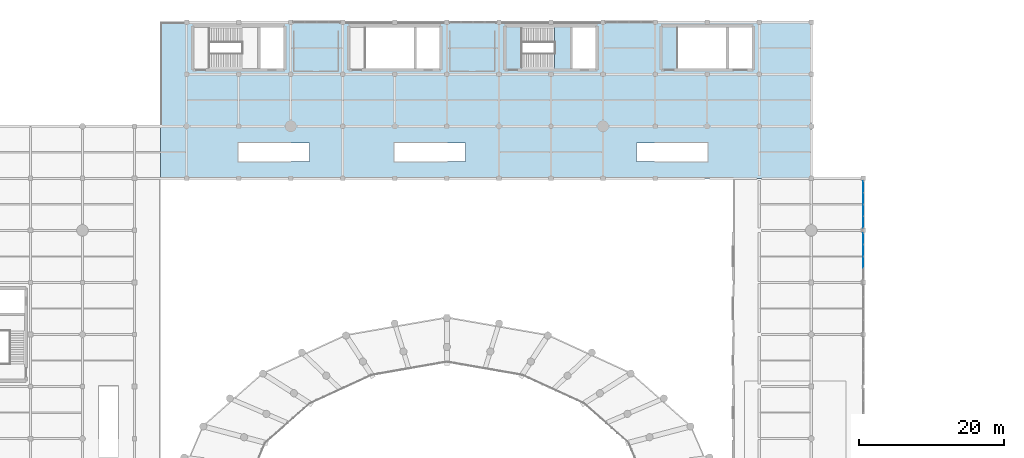
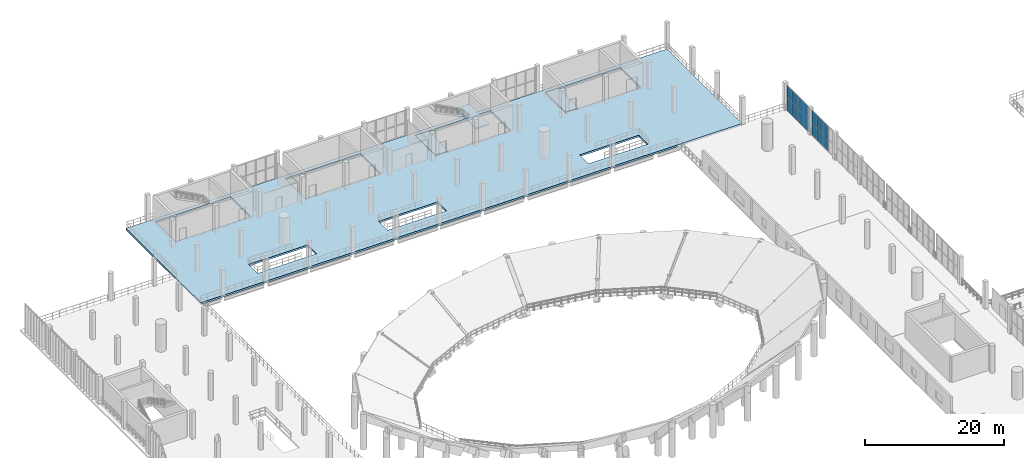
# One storey, part 79 of 105: 14 plates, 4 slabs, 3 elements without a shape of their own.
"""IFC4 building model written with IfcOpenShell, lengths in metres."""

from ifc_helpers import new_model, si_unit, direction, frame, origin, origin_2d, place, context, subcontext, project, spatial, polyline, rectangle, outline, extrude, material, layer, layer_set, type_object, element, aggregate, save


model = new_model("IFC4")

# Units and contexts
model_context = context("Model", 3, precision=1e-05, world=origin(), true_north=direction((0.0, 1.0)))
body_context = subcontext(model_context, "Body", "Model", "MODEL_VIEW")
ifc_project = project(units=[si_unit("LENGTHUNIT", "METRE"), si_unit("AREAUNIT", "SQUARE_METRE"), si_unit("VOLUMEUNIT", "CUBIC_METRE"), si_unit("PLANEANGLEUNIT", "RADIAN"), si_unit("MASSUNIT", "GRAM", prefix="KILO")], contexts=[model_context])

# Site, building, storey
site_placement = place(None, origin())
site = spatial("IfcSite", under=ifc_project, at=site_placement, CompositionType="ELEMENT")
building_placement = place(site_placement, origin())
building = spatial("IfcBuilding", under=site, at=building_placement, Name="Qandorah Velis Arena", CompositionType="ELEMENT")
storey_placement = place(building_placement, frame((0.0, 0.0, 13.800048828125)))
storey = spatial("IfcBuildingStorey", under=building, at=storey_placement, Name="L03", CompositionType="ELEMENT", Elevation=13.800048828125)

# Curtain wall, plates
ifc_material_1 = material(Name="Solar-control low-E double glazing", Category="glass")
curtain_wall_type_1 = type_object("IfcCurtainWallType", Name="ARC-CW-SYS10", PredefinedType="USERDEFINED", material=ifc_material_1)
curtain_wall_1_placement = place(storey_placement, origin())
curtain_wall_1 = element("IfcCurtainWall", 1, at=curtain_wall_1_placement, inside=storey, type_object=curtain_wall_type_1, Name="Unitised curtain wall L03-178", ObjectType="UNITISED CURTAIN WALL", PredefinedType="USERDEFINED")
ifc_layer_1 = layer(ifc_material_1, 0.028076171875)
ifc_layer_set_1 = layer_set([ifc_layer_1], Name="Solar-control low-E double glazing")
plate_type_1 = type_object("IfcPlateType", Name="ARC-CWP-GLZ28", PredefinedType="CURTAIN_PANEL", material=ifc_layer_set_1)
plate_1_placement = place(storey_placement, frame((122.39990234375, 101.956787109375, 0.054931640625), z_axis=(0.0, 0.0, 1.0), x_axis=(0.0, 1.0, 0.0)))
plate_1 = element("IfcPlate", 2, at=plate_1_placement, type_object=plate_type_1, Name="CW10 panel 1.1", PredefinedType="CURTAIN_PANEL", context=body_context, shape_type="SweptSolid", body=[
    extrude(rectangle(XDim=1.5537109375, YDim=0.028076171875, at=origin_2d()), origin(), (0.0, 0.0, 1.0), 2.1875),
])
plate_2_placement = place(storey_placement, frame((122.39990234375, 101.956787109375, 2.287353515625), z_axis=(0.0, 0.0, 1.0), x_axis=(0.0, 1.0, 0.0)))
plate_2 = element("IfcPlate", 3, at=plate_2_placement, type_object=plate_type_1, Name="CW10 panel 1.2", PredefinedType="CURTAIN_PANEL", context=body_context, shape_type="SweptSolid", body=[
    extrude(rectangle(XDim=1.5537109375, YDim=0.028076171875, at=origin_2d()), origin(), (0.0, 0.0, 1.0), 2.1875),
])
plate_3_placement = place(storey_placement, frame((122.39990234375, 103.57177734375, 0.054931640625), z_axis=(0.0, 0.0, 1.0), x_axis=(0.0, 1.0, 0.0)))
plate_3 = element("IfcPlate", 4, at=plate_3_placement, type_object=plate_type_1, Name="CW10 panel 2.1", PredefinedType="CURTAIN_PANEL", context=body_context, shape_type="SweptSolid", body=[
    extrude(rectangle(XDim=1.586181640625, YDim=0.028076171875, at=origin_2d()), origin(), (0.0, 0.0, 1.0), 2.1875),
])
plate_4_placement = place(storey_placement, frame((122.39990234375, 103.57177734375, 2.287353515625), z_axis=(0.0, 0.0, 1.0), x_axis=(0.0, 1.0, 0.0)))
plate_4 = element("IfcPlate", 5, at=plate_4_placement, type_object=plate_type_1, Name="CW10 panel 2.2", PredefinedType="CURTAIN_PANEL", context=body_context, shape_type="SweptSolid", body=[
    extrude(rectangle(XDim=1.586181640625, YDim=0.028076171875, at=origin_2d()), origin(), (0.0, 0.0, 1.0), 2.1875),
])
plate_5_placement = place(storey_placement, frame((122.39990234375, 105.203125, 0.054931640625), z_axis=(0.0, 0.0, 1.0), x_axis=(0.0, 1.0, 0.0)))
plate_5 = element("IfcPlate", 6, at=plate_5_placement, type_object=plate_type_1, Name="CW10 panel 3.1", PredefinedType="CURTAIN_PANEL", context=body_context, shape_type="SweptSolid", body=[
    extrude(rectangle(XDim=1.586181640625, YDim=0.028076171875, at=origin_2d()), origin(), (0.0, 0.0, 1.0), 2.1875),
])
plate_6_placement = place(storey_placement, frame((122.39990234375, 105.203125, 2.287353515625), z_axis=(0.0, 0.0, 1.0), x_axis=(0.0, 1.0, 0.0)))
plate_6 = element("IfcPlate", 7, at=plate_6_placement, type_object=plate_type_1, Name="CW10 panel 3.2", PredefinedType="CURTAIN_PANEL", context=body_context, shape_type="SweptSolid", body=[
    extrude(rectangle(XDim=1.586181640625, YDim=0.028076171875, at=origin_2d()), origin(), (0.0, 0.0, 1.0), 2.1875),
])
plate_7_placement = place(storey_placement, frame((122.39990234375, 106.818115234375, 0.054931640625), z_axis=(0.0, 0.0, 1.0), x_axis=(0.0, 1.0, 0.0)))
plate_7 = element("IfcPlate", 8, at=plate_7_placement, type_object=plate_type_1, Name="CW10 panel 4.1", PredefinedType="CURTAIN_PANEL", context=body_context, shape_type="SweptSolid", body=[
    extrude(rectangle(XDim=1.5537109375, YDim=0.028076171875, at=origin_2d()), origin(), (0.0, 0.0, 1.0), 2.1875),
])
plate_8_placement = place(storey_placement, frame((122.39990234375, 106.818115234375, 2.287353515625), z_axis=(0.0, 0.0, 1.0), x_axis=(0.0, 1.0, 0.0)))
plate_8 = element("IfcPlate", 9, at=plate_8_placement, type_object=plate_type_1, Name="CW10 panel 4.2", PredefinedType="CURTAIN_PANEL", context=body_context, shape_type="SweptSolid", body=[
    extrude(rectangle(XDim=1.5537109375, YDim=0.028076171875, at=origin_2d()), origin(), (0.0, 0.0, 1.0), 2.1875),
])
aggregate(curtain_wall_1, [plate_1, plate_2, plate_3, plate_4, plate_5, plate_6, plate_7, plate_8])

curtain_wall_type_2 = type_object("IfcCurtainWallType", Name="ARC-CW-SYS09", PredefinedType="USERDEFINED", material=ifc_material_1)
curtain_wall_2_placement = place(storey_placement, origin())
curtain_wall_2 = element("IfcCurtainWall", 10, at=curtain_wall_2_placement, inside=storey, type_object=curtain_wall_type_2, Name="Unitised curtain wall L03-177", ObjectType="UNITISED CURTAIN WALL", PredefinedType="USERDEFINED")
ifc_layer_2 = layer(ifc_material_1, 0.030029296875)
ifc_layer_set_2 = layer_set([ifc_layer_2], Name="Solar-control low-E double glazing")
plate_type_2 = type_object("IfcPlateType", Name="ARC-CWP-GLZ30", PredefinedType="CURTAIN_PANEL", material=ifc_layer_set_2)
plate_9_placement = place(storey_placement, frame((122.39990234375, 96.39697265625, 0.06494140625), z_axis=(0.0, 0.0, 1.0), x_axis=(0.0, 1.0, 0.0)))
plate_9 = element("IfcPlate", 11, at=plate_9_placement, type_object=plate_type_2, Name="CW09 panel 2.1", PredefinedType="CURTAIN_PANEL", context=body_context, shape_type="SweptSolid", body=[
    extrude(rectangle(XDim=1.576171875, YDim=0.030029296875, at=origin_2d()), origin(), (0.0, 0.0, 1.0), 2.172607421875),
])
plate_10_placement = place(storey_placement, frame((122.39990234375, 96.39697265625, 2.29248046875), z_axis=(0.0, 0.0, 1.0), x_axis=(0.0, 1.0, 0.0)))
plate_10 = element("IfcPlate", 12, at=plate_10_placement, type_object=plate_type_2, Name="CW09 panel 2.2", PredefinedType="CURTAIN_PANEL", context=body_context, shape_type="SweptSolid", body=[
    extrude(rectangle(XDim=1.576171875, YDim=0.030029296875, at=origin_2d()), origin(), (0.0, 0.0, 1.0), 2.172607421875),
])
plate_11_placement = place(storey_placement, frame((122.39990234375, 98.028076171875, 0.06494140625), z_axis=(0.0, 0.0, 1.0), x_axis=(0.0, 1.0, 0.0)))
plate_11 = element("IfcPlate", 13, at=plate_11_placement, type_object=plate_type_2, Name="CW09 panel 3.1", PredefinedType="CURTAIN_PANEL", context=body_context, shape_type="SweptSolid", body=[
    extrude(rectangle(XDim=1.576171875, YDim=0.030029296875, at=origin_2d()), origin(), (0.0, 0.0, 1.0), 2.172607421875),
])
plate_12_placement = place(storey_placement, frame((122.39990234375, 98.028076171875, 2.29248046875), z_axis=(0.0, 0.0, 1.0), x_axis=(0.0, 1.0, 0.0)))
plate_12 = element("IfcPlate", 14, at=plate_12_placement, type_object=plate_type_2, Name="CW09 panel 3.2", PredefinedType="CURTAIN_PANEL", context=body_context, shape_type="SweptSolid", body=[
    extrude(rectangle(XDim=1.576171875, YDim=0.030029296875, at=origin_2d()), origin(), (0.0, 0.0, 1.0), 2.172607421875),
])
plate_13_placement = place(storey_placement, frame((122.39990234375, 99.640625, 0.06494140625), z_axis=(0.0, 0.0, 1.0), x_axis=(0.0, 1.0, 0.0)))
plate_13 = element("IfcPlate", 15, at=plate_13_placement, type_object=plate_type_2, Name="CW09 panel 4.1", PredefinedType="CURTAIN_PANEL", context=body_context, shape_type="SweptSolid", body=[
    extrude(rectangle(XDim=1.538818359375, YDim=0.030029296875, at=origin_2d()), origin(), (0.0, 0.0, 1.0), 2.172607421875),
])
plate_14_placement = place(storey_placement, frame((122.39990234375, 99.640625, 2.29248046875), z_axis=(0.0, 0.0, 1.0), x_axis=(0.0, 1.0, 0.0)))
plate_14 = element("IfcPlate", 16, at=plate_14_placement, type_object=plate_type_2, Name="CW09 panel 4.2", PredefinedType="CURTAIN_PANEL", context=body_context, shape_type="SweptSolid", body=[
    extrude(rectangle(XDim=1.538818359375, YDim=0.030029296875, at=origin_2d()), origin(), (0.0, 0.0, 1.0), 2.172607421875),
])
aggregate(curtain_wall_2, [plate_9, plate_10, plate_11, plate_12, plate_13, plate_14])

# Slabs
ifc_material_2 = material(Name="Concrete C40/50", Category="concrete")
ifc_layer_3 = layer(ifc_material_2, 0.320068359375)
ifc_layer_set_3 = layer_set([ifc_layer_3], Name="Concrete C40/50")
slab_type_1 = type_object("IfcSlabType", Name="STR-SLB-FL320", PredefinedType="FLOOR", material=ifc_layer_set_3)
slab_1_placement = place(storey_placement, frame((0.0, 0.0, -0.320068359375)))
element("IfcSlab", 17, at=slab_1_placement, inside=storey, type_object=slab_type_1, Name="Structural floor slab L03_NORTH_UPPER", PredefinedType="FLOOR", context=body_context, shape_type="SweptSolid", body=[
    extrude(outline(polyline([(115.199951171875, 129.60009765625), (115.199951171875, 108.0), (25.199951171875, 108.0), (25.199951171875, 129.60009765625), (115.199951171875, 129.60009765625)]), holes=[polyline([(42.2548828125, 128.955078125), (31.955078125, 128.955078125), (31.955078125, 128.955078125), (29.7451171875, 128.955078125), (29.7451171875, 128.955078125), (29.7451171875, 123.14501953125), (31.955078125, 123.14501953125), (42.2548828125, 123.14501953125), (42.2548828125, 128.955078125)]), polyline([(85.455078125, 123.14501953125), (85.455078125, 128.955078125), (75.155029296875, 128.955078125), (75.155029296875, 128.955078125), (72.945068359375, 128.955078125), (72.945068359375, 128.955078125), (72.945068359375, 123.14501953125), (75.155029296875, 123.14501953125), (85.455078125, 123.14501953125)]), polyline([(53.554931640625, 123.14501953125), (63.85498046875, 123.14501953125), (63.85498046875, 128.955078125), (53.554931640625, 128.955078125), (53.554931640625, 128.955078125), (51.344970703125, 128.955078125), (51.344970703125, 123.14501953125), (51.344970703125, 123.14501953125), (53.554931640625, 123.14501953125)]), polyline([(94.544921875, 123.14501953125), (96.7548828125, 123.14501953125), (107.054931640625, 123.14501953125), (107.054931640625, 128.955078125), (96.7548828125, 128.955078125), (96.7548828125, 128.955078125), (94.544921875, 128.955078125), (94.544921875, 128.955078125), (94.544921875, 123.14501953125)]), polyline([(35.9599609375, 110.31005859375), (45.7900390625, 110.31005859375), (45.7900390625, 112.889892578125), (35.9599609375, 112.889892578125), (35.9599609375, 110.31005859375)]), polyline([(57.56005859375, 112.889892578125), (57.56005859375, 110.31005859375), (67.389892578125, 110.31005859375), (67.389892578125, 112.889892578125), (57.56005859375, 112.889892578125)]), polyline([(100.840087890625, 112.889892578125), (91.010009765625, 112.889892578125), (91.010009765625, 110.31005859375), (100.840087890625, 110.31005859375), (100.840087890625, 112.889892578125)])]), origin(), (0.0, 0.0, 1.0), 0.320068359375),
])
ifc_layer_4 = layer(ifc_material_2, 0.219970703125)
ifc_layer_set_4 = layer_set([ifc_layer_4], Name="Concrete C40/50")
slab_type_2 = type_object("IfcSlabType", Name="STR-SLB-LND220", PredefinedType="LANDING", material=ifc_layer_set_4)
slab_2_placement = place(storey_placement, frame((0.0, 0.0, -0.219970703125)))
element("IfcSlab", 18, at=slab_2_placement, inside=storey, type_object=slab_type_2, Name="Stair ST4 storey landing slab L03", PredefinedType="LANDING", context=body_context, shape_type="SweptSolid", body=[
    extrude(outline(polyline([(72.949951171875, 123.14990234375), (75.14990234375, 123.14990234375), (75.14990234375, 128.949951171875), (72.949951171875, 128.949951171875), (72.949951171875, 123.14990234375)])), origin(), (0.0, 0.0, 1.0), 0.219970703125),
])

# Stair, slab
stair_type = type_object("IfcStairType", Name="ARC-ST-CORE48", PredefinedType="HALF_TURN_STAIR", material=ifc_material_2)
stair_placement = place(storey_placement, origin())
stair = element("IfcStair", 19, at=stair_placement, inside=storey, type_object=stair_type, Name="Protected exit stair ST4 (L03)", PredefinedType="HALF_TURN_STAIR")
slab_3_placement = place(storey_placement, frame((0.0, 0.0, 2.179931640625)))
slab_3 = element("IfcSlab", 20, at=slab_3_placement, type_object=slab_type_2, Name="ST4 landing 1", PredefinedType="LANDING", context=body_context, shape_type="SweptSolid", body=[
    extrude(outline(polyline([(79.68603515625, 123.14990234375), (81.93603515625, 123.14990234375), (81.93603515625, 128.949951171875), (79.68603515625, 128.949951171875), (79.68603515625, 123.14990234375)])), origin(), (0.0, 0.0, 1.0), 0.219970703125),
])
aggregate(stair, [slab_3])

# Slab
slab_4_placement = place(storey_placement, frame((0.0, 0.0, -0.219970703125)))
element("IfcSlab", 21, at=slab_4_placement, inside=storey, type_object=slab_type_2, Name="Stair ST12 storey landing slab L03", PredefinedType="LANDING", context=body_context, shape_type="SweptSolid", body=[
    extrude(outline(polyline([(94.550048828125, 123.14990234375), (96.75, 123.14990234375), (96.75, 128.949951171875), (94.550048828125, 128.949951171875), (94.550048828125, 123.14990234375)])), origin(), (0.0, 0.0, 1.0), 0.219970703125),
])

save(model, "model.ifc")
